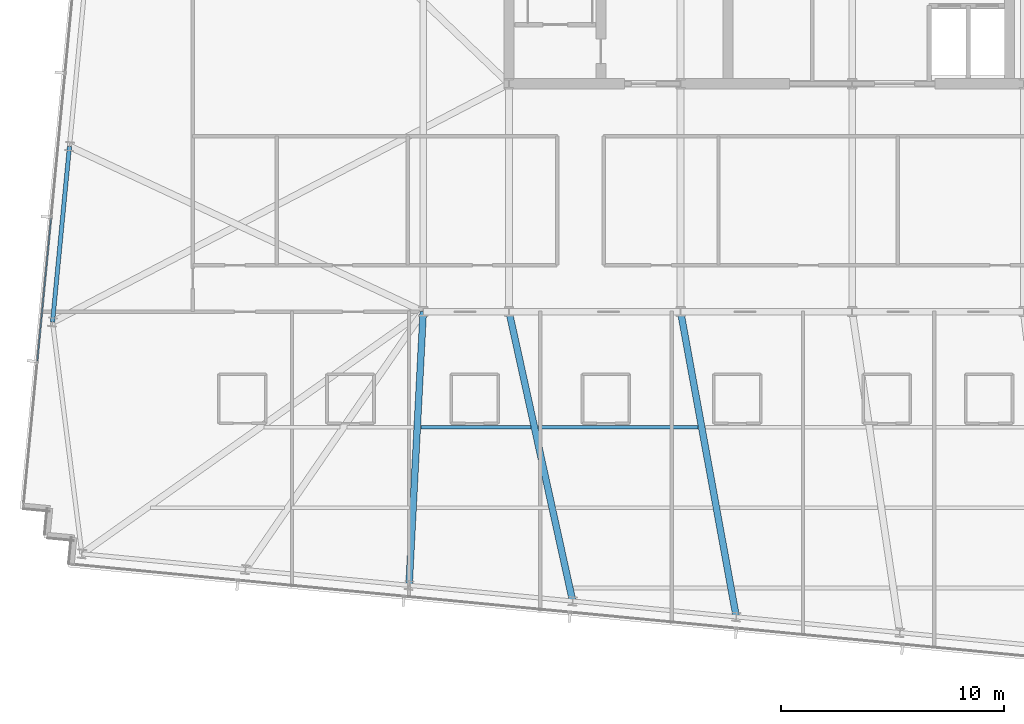
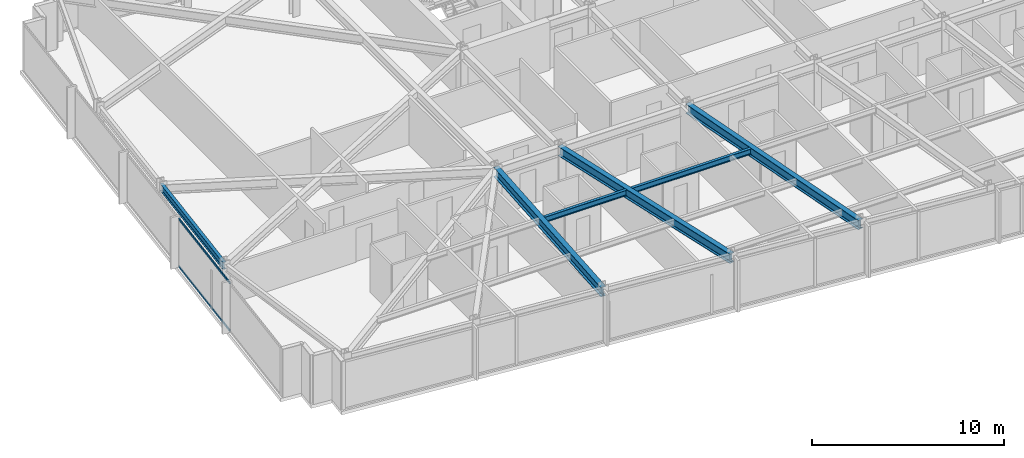
# One storey, part 7 of 37: 6 beams, 2 members, 1 element without a shape of its own.
"""IFC4 building model written with IfcOpenShell, lengths in metres."""

from ifc_helpers import new_model, si_unit, direction, frame, origin, origin_2d, place, context, subcontext, project, spatial, hollow_rectangle, i_section, extrude, material, material_profile, profile_set, type_object, element, aggregate, save


model = new_model("IFC4")

# Units and contexts
model_context = context("Model", 3, precision=1e-05, world=origin(), true_north=direction((0.0, 1.0)))
body_context = subcontext(model_context, "Body", "Model", "MODEL_VIEW")
ifc_project = project(units=[si_unit("LENGTHUNIT", "METRE"), si_unit("AREAUNIT", "SQUARE_METRE"), si_unit("VOLUMEUNIT", "CUBIC_METRE"), si_unit("PLANEANGLEUNIT", "RADIAN"), si_unit("MASSUNIT", "GRAM", prefix="KILO")], contexts=[model_context])

# Site, building, storey
site_placement = place(None, origin())
site = spatial("IfcSite", under=ifc_project, at=site_placement, CompositionType="ELEMENT")
building_placement = place(site_placement, origin())
building = spatial("IfcBuilding", under=site, at=building_placement, Name="Yelkora Congress Tower", CompositionType="ELEMENT")
storey_placement = place(building_placement, frame((0.0, 0.0, 162.199951171875)))
storey = spatial("IfcBuildingStorey", under=building, at=storey_placement, Name="L44", CompositionType="ELEMENT", Elevation=162.199951171875)

# Beams
ifc_material_1 = material(Name="Steel S355J2", Category="steel")
ifc_material_profile_1 = material_profile(ifc_material_1, i_section(OverallWidth=0.300048828125, OverallDepth=0.60009765625, WebThickness=0.015380859375, FlangeThickness=0.030029296875, FilletRadius=0.027099609375, at=origin_2d()), Name="HEB 600")
ifc_profile_set_1 = profile_set([ifc_material_profile_1], Name="Steel S355J2")
beam_type_1 = type_object("IfcBeamType", Name="BM-GIRD-HEB600", PredefinedType="BEAM", material=ifc_profile_set_1)
beam_1_placement = place(storey_placement, frame((18.56591796875, 12.947021484375, 2.780029296875), z_axis=(0.051676299428, 0.99866388744, 0.0), x_axis=(-0.99866388744, 0.051676299428, 0.0)))
element("IfcBeam", 1, at=beam_1_placement, inside=storey, type_object=beam_type_1, Name="L44 Primary Frame Girder S03", PredefinedType="BEAM", context=body_context, shape_type="SweptSolid", body=[
    extrude(i_section(OverallWidth=0.300048828125, OverallDepth=0.60009765625, WebThickness=0.015380859375, FlangeThickness=0.030029296875, FilletRadius=0.027099609375, at=origin_2d()), origin(), (0.0, 0.0, 1.0), 12.269287109375),
])
beam_2_placement = place(storey_placement, frame((25.888916015625, 12.24169921875, 2.780029296875), z_axis=(-0.214722420774, 0.976675115899, 0.0), x_axis=(-0.976675115899, -0.214722420774, 0.0)))
element("IfcBeam", 2, at=beam_2_placement, inside=storey, type_object=beam_type_1, Name="L44 Primary Frame Girder S04", PredefinedType="BEAM", context=body_context, shape_type="SweptSolid", body=[
    extrude(i_section(OverallWidth=0.300048828125, OverallDepth=0.60009765625, WebThickness=0.015380859375, FlangeThickness=0.030029296875, FilletRadius=0.027099609375, at=origin_2d()), origin(), (0.0, 0.0, 1.0), 13.267822265625),
])
beam_3_placement = place(storey_placement, frame((33.21240234375, 11.53662109375, 2.780029296875), z_axis=(-0.179456208566, 0.983765962619, 0.0), x_axis=(-0.983765962619, -0.179456208566, 0.0)))
element("IfcBeam", 3, at=beam_3_placement, inside=storey, type_object=beam_type_1, Name="L44 Primary Frame Girder S05", PredefinedType="BEAM", context=body_context, shape_type="SweptSolid", body=[
    extrude(i_section(OverallWidth=0.300048828125, OverallDepth=0.60009765625, WebThickness=0.015380859375, FlangeThickness=0.030029296875, FilletRadius=0.027099609375, at=origin_2d()), origin(), (0.0, 0.0, 1.0), 13.888916015625),
])
ifc_material_profile_2 = material_profile(ifc_material_1, i_section(OverallWidth=0.169921875, OverallDepth=0.360107421875, WebThickness=0.008056640625, FlangeThickness=0.0126953125, FilletRadius=0.01806640625, at=origin_2d()), Name="IPE 360")
ifc_profile_set_2 = profile_set([ifc_material_profile_2], Name="Steel S355J2")
beam_type_2 = type_object("IfcBeamType", Name="BM-JOIST-IPE360", PredefinedType="JOIST", material=ifc_profile_set_2)
beam_4_placement = place(storey_placement, frame((19.092041015625, 20.021240234375, 2.900146484375), z_axis=(1.0, 0.0, 0.0), x_axis=(0.0, 1.0, 0.0)))
element("IfcBeam", 4, at=beam_4_placement, inside=storey, type_object=beam_type_2, Name="L44 Composite Floor Joist 14", PredefinedType="JOIST", context=body_context, shape_type="SweptSolid", body=[
    extrude(i_section(OverallWidth=0.169921875, OverallDepth=0.360107421875, WebThickness=0.008056640625, FlangeThickness=0.0126953125, FilletRadius=0.01806640625, at=origin_2d()), origin(), (0.0, 0.0, 1.0), 4.926513671875),
])
beam_5_placement = place(storey_placement, frame((24.338623046875, 20.021240234375, 2.900146484375), z_axis=(1.0, 0.0, 0.0), x_axis=(0.0, 1.0, 0.0)))
element("IfcBeam", 5, at=beam_5_placement, inside=storey, type_object=beam_type_2, Name="L44 Composite Floor Joist 15", PredefinedType="JOIST", context=body_context, shape_type="SweptSolid", body=[
    extrude(i_section(OverallWidth=0.169921875, OverallDepth=0.360107421875, WebThickness=0.008056640625, FlangeThickness=0.0126953125, FilletRadius=0.01806640625, at=origin_2d()), origin(), (0.0, 0.0, 1.0), 7.166015625),
])
ifc_material_profile_3 = material_profile(ifc_material_1, i_section(OverallWidth=0.18994140625, OverallDepth=0.449951171875, WebThickness=0.009521484375, FlangeThickness=0.0146484375, FilletRadius=0.02099609375, at=origin_2d()), Name="IPE 450")
ifc_profile_set_3 = profile_set([ifc_material_profile_3], Name="Steel S355J2")
beam_type_3 = type_object("IfcBeamType", Name="BM-SPAN-IPE450", PredefinedType="SPANDREL", material=ifc_profile_set_3)
beam_6_placement = place(storey_placement, frame((3.364501953125, 32.594482421875, 2.85498046875), z_axis=(-0.095831353931, -0.995397584689, 0.0), x_axis=(0.995397584689, -0.095831353931, 0.0)))
element("IfcBeam", 6, at=beam_6_placement, inside=storey, type_object=beam_type_3, Name="L44 Perimeter Beam 18", PredefinedType="SPANDREL", context=body_context, shape_type="SweptSolid", body=[
    extrude(i_section(OverallWidth=0.18994140625, OverallDepth=0.449951171875, WebThickness=0.009521484375, FlangeThickness=0.0146484375, FilletRadius=0.02099609375, at=origin_2d()), origin(), (0.0, 0.0, 1.0), 7.900146484375),
])

# Curtain wall, members
ifc_material_2 = material(Name="Anodised aluminium and insulated glass", Category="aluminium")
curtain_wall_type = type_object("IfcCurtainWallType", Name="CW-SYS-B3", PredefinedType="NOTDEFINED", material=ifc_material_2)
curtain_wall_placement = place(storey_placement, origin())
curtain_wall = element("IfcCurtainWall", 7, at=curtain_wall_placement, inside=storey, type_object=curtain_wall_type, Name="L44 Unitised Curtain Wall 5", PredefinedType="NOTDEFINED")
ifc_material_3 = material(Name="Anodised aluminium 6063-T6", Category="aluminium")
ifc_material_profile_4 = material_profile(ifc_material_3, hollow_rectangle(XDim=0.06005859375, YDim=0.1298828125, WallThickness=0.00390625, at=origin_2d()), Name="ALU 60x130x4")
ifc_profile_set_4 = profile_set([ifc_material_profile_4], Name="Anodised aluminium 6063-T6")
member_type = type_object("IfcMemberType", Name="MEM-TR-B3", PredefinedType="USERDEFINED", material=ifc_profile_set_4)
member_1_placement = place(storey_placement, frame((1.92822265625, 22.996826171875, 0.030029296875), z_axis=(0.095843682057, 0.995396397728, 0.0), x_axis=(-0.995396397728, 0.095843682057, 0.0)))
member_1 = element("IfcMember", 8, at=member_1_placement, type_object=member_type, Name="CW-B3 transom 2.1", ObjectType="TRANSOM", PredefinedType="USERDEFINED", context=body_context, shape_type="SweptSolid", body=[
    extrude(hollow_rectangle(XDim=0.06005859375, YDim=0.1298828125, WallThickness=0.00390625, at=origin_2d()), origin(), (0.0, 0.0, 1.0), 6.4140625),
])
member_2_placement = place(storey_placement, frame((1.92822265625, 22.996826171875, 3.050048828125), z_axis=(0.095843682057, 0.995396397728, 0.0), x_axis=(-0.995396397728, 0.095843682057, 0.0)))
member_2 = element("IfcMember", 9, at=member_2_placement, type_object=member_type, Name="CW-B3 transom 2.2", ObjectType="TRANSOM", PredefinedType="USERDEFINED", context=body_context, shape_type="SweptSolid", body=[
    extrude(hollow_rectangle(XDim=0.06005859375, YDim=0.1298828125, WallThickness=0.00390625, at=origin_2d()), origin(), (0.0, 0.0, 1.0), 6.4140625),
])
aggregate(curtain_wall, [member_1, member_2])

save(model, "model.ifc")
